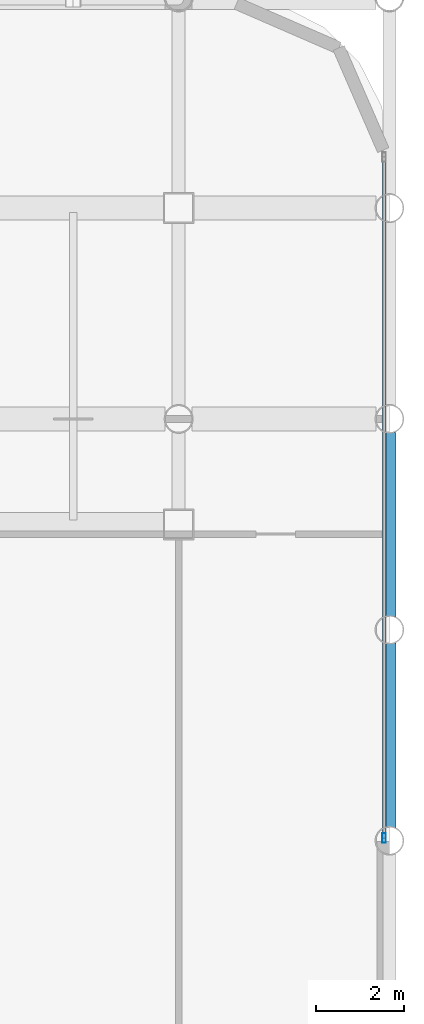
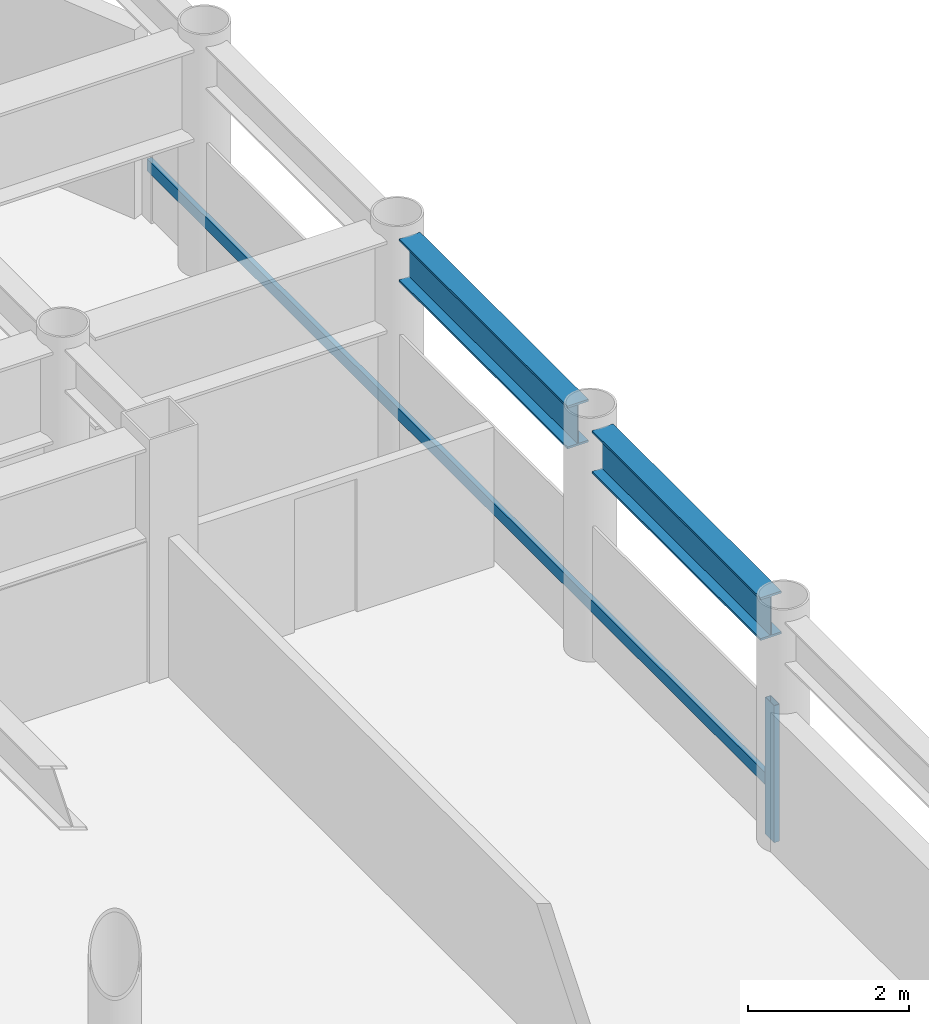
# One storey, part 9 of 22: 2 beams, 2 members, 1 element without a shape of its own.
"""IFC4 building model written with IfcOpenShell, lengths in metres."""

from ifc_helpers import new_model, si_unit, direction, frame, origin, origin_2d, place, context, subcontext, project, spatial, hollow_rectangle, i_section, extrude, material, layer, layer_set, material_profile, profile_set, type_object, element, aggregate, save


model = new_model("IFC4")

# Units and contexts
model_context = context("Model", 3, precision=1e-05, world=origin(), true_north=direction((0.0, 1.0)))
body_context = subcontext(model_context, "Body", "Model", "MODEL_VIEW")
ifc_project = project(units=[si_unit("LENGTHUNIT", "METRE"), si_unit("AREAUNIT", "SQUARE_METRE"), si_unit("VOLUMEUNIT", "CUBIC_METRE"), si_unit("PLANEANGLEUNIT", "RADIAN"), si_unit("MASSUNIT", "GRAM", prefix="KILO")], contexts=[model_context])

# Site, building, storey
site_placement = place(None, origin())
site = spatial("IfcSite", under=ifc_project, at=site_placement, CompositionType="ELEMENT")
building_placement = place(site_placement, origin())
building = spatial("IfcBuilding", under=site, at=building_placement, Name="Kallvorn Hotel Tower", CompositionType="ELEMENT")
storey_placement = place(building_placement, frame((0.0, 0.0, 154.39990234375)))
storey = spatial("IfcBuildingStorey", under=building, at=storey_placement, Name="L38", CompositionType="ELEMENT", Elevation=154.39990234375)

# Beams
ifc_material_1 = material(Name="Structural steel S355JR", Category="steel")
ifc_material_profile_1 = material_profile(ifc_material_1, i_section(OverallWidth=0.300048828125, OverallDepth=0.64990234375, WebThickness=0.01611328125, FlangeThickness=0.031005859375, at=origin_2d()), Name="HE 650 B")
ifc_profile_set_1 = profile_set([ifc_material_profile_1], Name="Structural steel S355JR")
beam_type = type_object("IfcBeamType", Name="BM_HE650B", PredefinedType="BEAM", material=ifc_profile_set_1)
beam_1_placement = place(storey_placement, frame((28.800048828125, 0.304931640625, 3.195068359375), z_axis=(0.0, 1.0, 0.0), x_axis=(-1.0, 0.0, 0.0)))
element("IfcBeam", 1, at=beam_1_placement, inside=storey, type_object=beam_type, Name="L39 Primary Y-Girder 147", PredefinedType="BEAM", context=body_context, shape_type="SweptSolid", body=[
    extrude(i_section(OverallWidth=0.300048828125, OverallDepth=0.64990234375, WebThickness=0.01611328125, FlangeThickness=0.031005859375, at=origin_2d()), origin(), (0.0, 0.0, 1.0), 4.190185546875),
])
beam_2_placement = place(storey_placement, frame((28.800048828125, 5.10498046875, 3.195068359375), z_axis=(0.0, 1.0, 0.0), x_axis=(-1.0, 0.0, 0.0)))
element("IfcBeam", 2, at=beam_2_placement, inside=storey, type_object=beam_type, Name="L39 Primary Y-Girder 148", PredefinedType="BEAM", context=body_context, shape_type="SweptSolid", body=[
    extrude(i_section(OverallWidth=0.300048828125, OverallDepth=0.64990234375, WebThickness=0.01611328125, FlangeThickness=0.031005859375, at=origin_2d()), origin(), (0.0, 0.0, 1.0), 4.18994140625),
])

# Curtain wall, members
ifc_material_2 = material(Name="Thermally broken black-anodised aluminium AA 6063-T6", Category="aluminium")
ifc_layer = layer(ifc_material_2, 0.2099609375)
ifc_layer_set = layer_set([ifc_layer], Name="CW_SYS_4_HOTEL_MID")
curtain_wall_type = type_object("IfcCurtainWallType", Name="CW_SYS_4_HOTEL_MID", PredefinedType="USERDEFINED", material=ifc_layer_set)
curtain_wall_placement = place(storey_placement, origin())
curtain_wall = element("IfcCurtainWall", 3, at=curtain_wall_placement, inside=storey, type_object=curtain_wall_type, Name="L38 Dark-Glass Curtain Wall CW-L38-EN", ObjectType="UNITISED CURTAIN WALL", PredefinedType="USERDEFINED")
ifc_material_3 = material(Name="Thermally broken black-anodised aluminium AA 6063-T6", Category="aluminium")
ifc_material_profile_2 = material_profile(ifc_material_3, hollow_rectangle(XDim=0.080078125, YDim=0.219970703125, WallThickness=0.0048828125, at=origin_2d()), Name="MUL 220x80")
ifc_profile_set_2 = profile_set([ifc_material_profile_2], Name="Thermally broken black-anodised aluminium AA 6063-T6")
member_type_1 = type_object("IfcMemberType", Name="CW_MULLION_220x80", PredefinedType="MULLION", material=ifc_profile_set_2)
member_1_placement = place(storey_placement, frame((28.679931640625, 0.06005859375, 0.02001953125), z_axis=(0.0, 0.0, 1.0), x_axis=(1.0, 0.0, 0.0)))
member_1 = element("IfcMember", 4, at=member_1_placement, type_object=member_type_1, Name="CW-L38-EN Mullion 00", PredefinedType="MULLION", context=body_context, shape_type="SweptSolid", body=[
    extrude(hollow_rectangle(XDim=0.080078125, YDim=0.219970703125, WallThickness=0.0048828125, at=origin_2d()), origin(), (0.0, 0.0, 1.0), 2.080078125),
])
ifc_material_4 = material(Name="Thermally broken black-anodised aluminium AA 6063-T6", Category="aluminium")
ifc_material_profile_3 = material_profile(ifc_material_4, hollow_rectangle(XDim=0.070068359375, YDim=0.179931640625, WallThickness=0.00390625, at=origin_2d()), Name="TRN 180x70")
ifc_profile_set_3 = profile_set([ifc_material_profile_3], Name="Thermally broken black-anodised aluminium AA 6063-T6")
member_type_2 = type_object("IfcMemberType", Name="CW_TRANSOM_180x70", PredefinedType="USERDEFINED", material=ifc_profile_set_3)
member_2_placement = place(storey_placement, frame((28.679931640625, 0.06005859375, 0.85009765625), z_axis=(0.0, 1.0, 0.0), x_axis=(-1.0, 0.0, 0.0)))
member_2 = element("IfcMember", 5, at=member_2_placement, type_object=member_type_2, Name="CW-L38-EN Transom 00M", ObjectType="TRANSOM", PredefinedType="USERDEFINED", context=body_context, shape_type="SweptSolid", body=[
    extrude(hollow_rectangle(XDim=0.070068359375, YDim=0.179931640625, WallThickness=0.00390625, at=origin_2d()), origin(), (0.0, 0.0, 1.0), 15.5),
])
aggregate(curtain_wall, [member_1, member_2])

save(model, "model.ifc")
